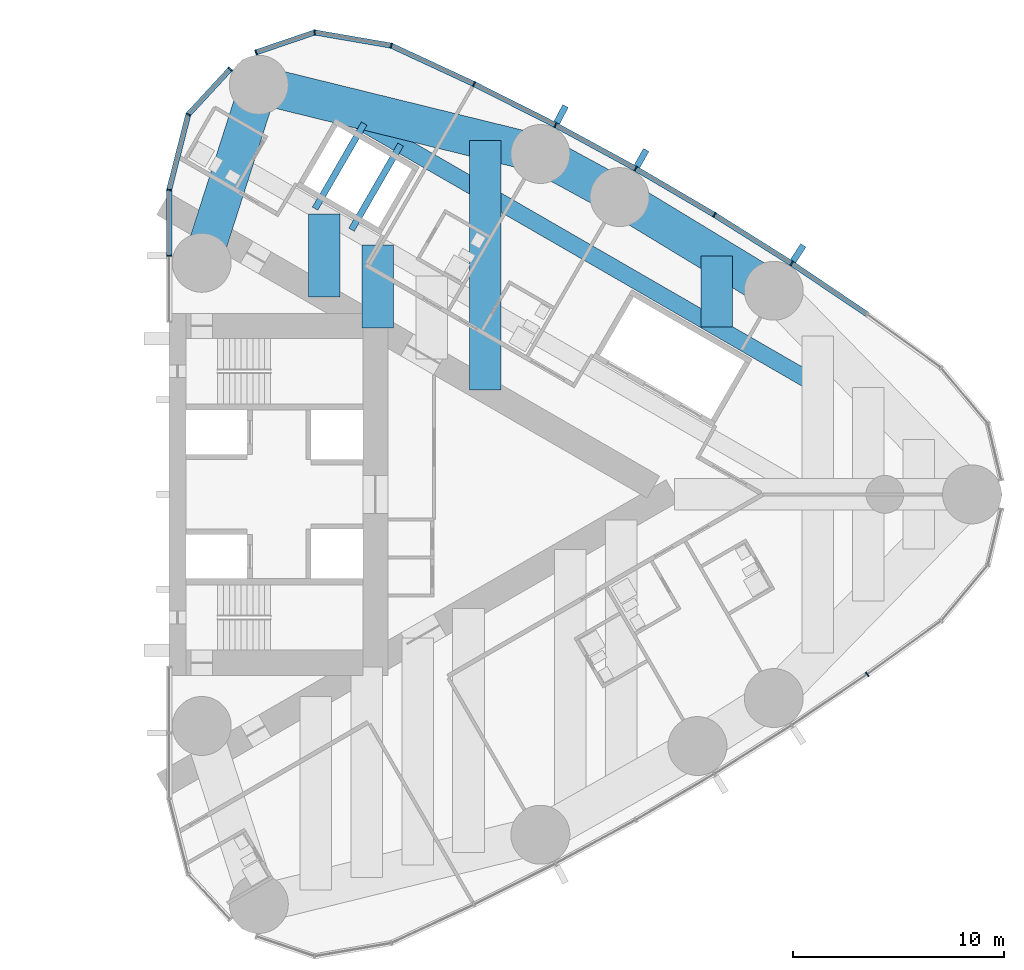
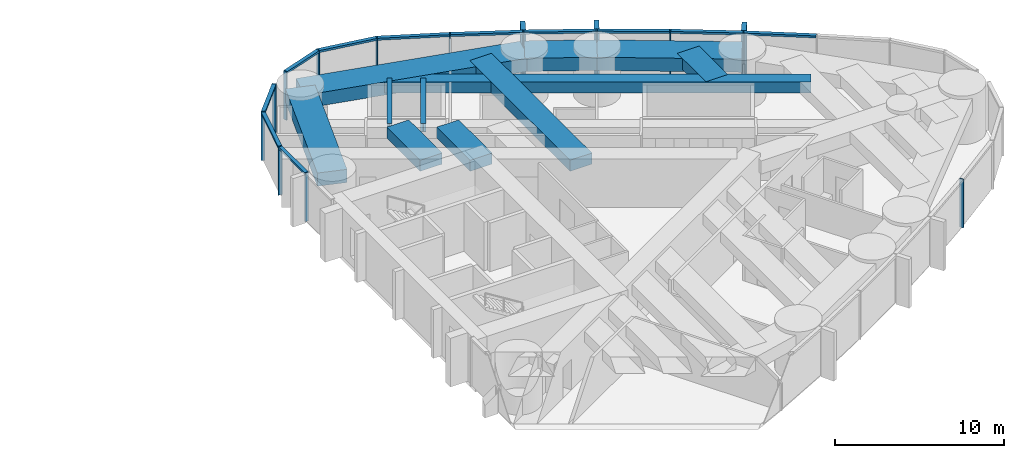
# One storey, part 8 of 19: 27 members, 11 beams, 3 elements without a shape of their own.
"""IFC4 building model written with IfcOpenShell, lengths in metres."""

from ifc_helpers import new_model, si_unit, direction, frame, origin, origin_2d, place, context, subcontext, project, spatial, rectangle, hollow_rectangle, i_section, extrude, material, material_profile, profile_set, type_object, element, aggregate, save


model = new_model("IFC4")

# Units and contexts
model_context = context("Model", 3, precision=1e-05, world=origin(), true_north=direction((0.0, 1.0)))
body_context = subcontext(model_context, "Body", "Model", "MODEL_VIEW")
ifc_project = project(units=[si_unit("LENGTHUNIT", "METRE"), si_unit("AREAUNIT", "SQUARE_METRE"), si_unit("VOLUMEUNIT", "CUBIC_METRE"), si_unit("PLANEANGLEUNIT", "RADIAN"), si_unit("MASSUNIT", "GRAM", prefix="KILO")], contexts=[model_context])

# Site, building, storey
site_placement = place(None, origin())
site = spatial("IfcSite", under=ifc_project, at=site_placement, CompositionType="ELEMENT")
building_placement = place(site_placement, origin())
building = spatial("IfcBuilding", under=site, at=building_placement, Name="Lancet Gate Hotel", CompositionType="ELEMENT")
storey_placement = place(building_placement, frame((0.0, 0.0, 159.800048828125)))
storey = spatial("IfcBuildingStorey", under=building, at=storey_placement, Name="L42", CompositionType="ELEMENT", Elevation=159.800048828125)

# Curtain wall, member
ifc_material_1 = material(Name="Aluminium curtain wall", Category="aluminium")
curtain_wall_type = type_object("IfcCurtainWallType", Name="Tower unitised curtain wall", PredefinedType="USERDEFINED", material=ifc_material_1)
curtain_wall_1_placement = place(storey_placement, origin())
curtain_wall_1 = element("IfcCurtainWall", 1, at=curtain_wall_1_placement, inside=storey, type_object=curtain_wall_type, Name="T2 L42 curtain wall 2", ObjectType="UNITISED CURTAIN WALL", PredefinedType="USERDEFINED")
ifc_material_2 = material(Name="Aluminium mullion", Category="aluminium")
ifc_material_profile_1 = material_profile(ifc_material_2, rectangle(XDim=0.06494140625, YDim=0.25, at=origin_2d()), Name="MULLION 65x250")
ifc_profile_set_1 = profile_set([ifc_material_profile_1], Name="Aluminium mullion")
member_type_1 = type_object("IfcMemberType", Name="Aluminium mullion 65x250", PredefinedType="MULLION", material=ifc_profile_set_1)
member_1_placement = place(storey_placement, frame((60.66015625, -8.547607421875, 0.0), z_axis=(0.0, 0.0, 1.0), x_axis=(0.820068208435, 0.572265789222, 0.0)))
member_1 = element("IfcMember", 2, at=member_1_placement, type_object=member_type_1, Name="T2 L42 curtain wall 2 mullion 9", PredefinedType="MULLION", context=body_context, shape_type="SweptSolid", body=[
    extrude(rectangle(XDim=0.06494140625, YDim=0.25, at=origin_2d()), origin(), (0.0, 0.0, 1.0), 3.5),
])
aggregate(curtain_wall_1, [member_1])

# Curtain wall, members
curtain_wall_2_placement = place(storey_placement, origin())
curtain_wall_2 = element("IfcCurtainWall", 3, at=curtain_wall_2_placement, inside=storey, type_object=curtain_wall_type, Name="T2 L42 curtain wall 3", ObjectType="UNITISED CURTAIN WALL", PredefinedType="USERDEFINED")
member_2_placement = place(storey_placement, frame((57.067138671875, 10.970947265625, 0.0), z_axis=(0.0, 0.0, 1.0), x_axis=(-0.837800943278, 0.545975804815, 0.0)))
member_2 = element("IfcMember", 4, at=member_2_placement, type_object=member_type_1, Name="T2 L42 curtain wall 3 mullion 5", PredefinedType="MULLION", context=body_context, shape_type="SweptSolid", body=[
    extrude(rectangle(XDim=0.06494140625, YDim=0.25, at=origin_2d()), origin(), (0.0, 0.0, 1.0), 3.5),
])
member_3_placement = place(storey_placement, frame((53.39892578125, 13.279541015625, 0.0), z_axis=(0.0, 0.0, 1.0), x_axis=(-0.854691174453, 0.519136779965, 0.0)))
member_3 = element("IfcMember", 5, at=member_3_placement, type_object=member_type_1, Name="T2 L42 curtain wall 3 mullion 6", PredefinedType="MULLION", context=body_context, shape_type="SweptSolid", body=[
    extrude(rectangle(XDim=0.06494140625, YDim=0.25, at=origin_2d()), origin(), (0.0, 0.0, 1.0), 3.5),
])
member_4_placement = place(storey_placement, frame((49.65966796875, 15.47021484375, 0.0), z_axis=(0.0, 0.0, 1.0), x_axis=(-0.870721916932, 0.491775704336, 0.0)))
member_4 = element("IfcMember", 6, at=member_4_placement, type_object=member_type_1, Name="T2 L42 curtain wall 3 mullion 7", PredefinedType="MULLION", context=body_context, shape_type="SweptSolid", body=[
    extrude(rectangle(XDim=0.06494140625, YDim=0.25, at=origin_2d()), origin(), (0.0, 0.0, 1.0), 3.5),
])
member_5_placement = place(storey_placement, frame((45.8525390625, 17.54150390625, 0.0), z_axis=(0.0, 0.0, 1.0), x_axis=(-0.885877049989, 0.463920092584, 0.0)))
member_5 = element("IfcMember", 7, at=member_5_placement, type_object=member_type_1, Name="T2 L42 curtain wall 3 mullion 8", PredefinedType="MULLION", context=body_context, shape_type="SweptSolid", body=[
    extrude(rectangle(XDim=0.06494140625, YDim=0.25, at=origin_2d()), origin(), (0.0, 0.0, 1.0), 3.5),
])
member_6_placement = place(storey_placement, frame((41.98193359375, 19.490966796875, 0.0), z_axis=(0.0, 0.0, 1.0), x_axis=(-0.900141333422, 0.435597956681, 0.0)))
member_6 = element("IfcMember", 8, at=member_6_placement, type_object=member_type_1, Name="T2 L42 curtain wall 3 mullion 9", PredefinedType="MULLION", context=body_context, shape_type="SweptSolid", body=[
    extrude(rectangle(XDim=0.06494140625, YDim=0.25, at=origin_2d()), origin(), (0.0, 0.0, 1.0), 3.5),
])
member_7_placement = place(storey_placement, frame((38.05126953125, 21.31689453125, 0.0), z_axis=(0.0, 0.0, 1.0), x_axis=(-0.951355493327, 0.308095318555, 0.0)))
member_7 = element("IfcMember", 9, at=member_7_placement, type_object=member_type_1, Name="T2 L42 curtain wall 3 mullion 10", PredefinedType="MULLION", context=body_context, shape_type="SweptSolid", body=[
    extrude(rectangle(XDim=0.06494140625, YDim=0.25, at=origin_2d()), origin(), (0.0, 0.0, 1.0), 3.5),
])
member_8_placement = place(storey_placement, frame((34.412109375, 21.9423828125, 0.0), z_axis=(0.0, 0.0, 1.0), x_axis=(-0.99877556888, -0.049470829879, 0.0)))
member_8 = element("IfcMember", 10, at=member_8_placement, type_object=member_type_1, Name="T2 L42 curtain wall 3 mullion 11", PredefinedType="MULLION", context=body_context, shape_type="SweptSolid", body=[
    extrude(rectangle(XDim=0.06494140625, YDim=0.25, at=origin_2d()), origin(), (0.0, 0.0, 1.0), 3.5),
])
member_9_placement = place(storey_placement, frame((31.631591796875, 20.998779296875, 0.0), z_axis=(0.0, 0.0, 1.0), x_axis=(-0.946952368511, -0.321373943827, 0.0)))
member_9 = element("IfcMember", 11, at=member_9_placement, type_object=member_type_1, Name="T2 L42 curtain wall 3 mullion 12", PredefinedType="MULLION", context=body_context, shape_type="SweptSolid", body=[
    extrude(rectangle(XDim=0.06494140625, YDim=0.25, at=origin_2d()), origin(), (0.0, 0.0, 1.0), 3.5),
])

curtain_wall_3_placement = place(storey_placement, origin())
curtain_wall_3 = element("IfcCurtainWall", 12, at=curtain_wall_3_placement, inside=storey, type_object=curtain_wall_type, Name="T2 L42 curtain wall 4", ObjectType="UNITISED CURTAIN WALL", PredefinedType="USERDEFINED")
member_10_placement = place(storey_placement, frame((30.40185546875, 20.199951171875, 0.0), z_axis=(0.0, 0.0, 1.0), x_axis=(-0.67883123083, -0.734294327943, 0.0)))
member_10 = element("IfcMember", 13, at=member_10_placement, type_object=member_type_1, Name="T2 L42 curtain wall 4 mullion 1", PredefinedType="MULLION", context=body_context, shape_type="SweptSolid", body=[
    extrude(rectangle(XDim=0.06494140625, YDim=0.25, at=origin_2d()), origin(), (0.0, 0.0, 1.0), 3.5),
])
member_11_placement = place(storey_placement, frame((28.408935546875, 18.04443359375, 0.0), z_axis=(0.0, 0.0, 1.0), x_axis=(-0.451505925065, -0.892268120932, 0.0)))
member_11 = element("IfcMember", 14, at=member_11_placement, type_object=member_type_1, Name="T2 L42 curtain wall 4 mullion 2", PredefinedType="MULLION", context=body_context, shape_type="SweptSolid", body=[
    extrude(rectangle(XDim=0.06494140625, YDim=0.25, at=origin_2d()), origin(), (0.0, 0.0, 1.0), 3.5),
])
member_12_placement = place(storey_placement, frame((27.5, 14.465576171875, 0.0), z_axis=(0.0, 0.0, 1.0), x_axis=(-0.134206524909, -0.990953383703, 0.0)))
member_12 = element("IfcMember", 15, at=member_12_placement, type_object=member_type_1, Name="T2 L42 curtain wall 4 mullion 3", PredefinedType="MULLION", context=body_context, shape_type="SweptSolid", body=[
    extrude(rectangle(XDim=0.06494140625, YDim=0.25, at=origin_2d()), origin(), (0.0, 0.0, 1.0), 3.5),
])
member_13_placement = place(storey_placement, frame((27.5, 11.332763671875, 0.0), z_axis=(0.0, 0.0, 1.0), x_axis=(0.0, -1.0, 0.0)))
member_13 = element("IfcMember", 16, at=member_13_placement, type_object=member_type_1, Name="T2 L42 curtain wall 4 mullion 4", PredefinedType="MULLION", context=body_context, shape_type="SweptSolid", body=[
    extrude(rectangle(XDim=0.06494140625, YDim=0.25, at=origin_2d()), origin(), (0.0, 0.0, 1.0), 3.5),
])

# Member
ifc_material_3 = material(Name="Aluminium transom", Category="aluminium")
ifc_material_profile_2 = material_profile(ifc_material_3, rectangle(XDim=0.25, YDim=0.14990234375, at=origin_2d()), Name="TRANSOM 250x150")
ifc_profile_set_2 = profile_set([ifc_material_profile_2], Name="Aluminium transom")
member_type_2 = type_object("IfcMemberType", Name="Aluminium transom 250x150", PredefinedType="USERDEFINED", material=ifc_profile_set_2)
member_14_placement = place(storey_placement, frame((60.63330078125, 8.565673828125, 3.425048828125), z_axis=(-0.829046850689, 0.559179147826, 0.0), x_axis=(-0.559179147826, -0.829046850689, 0.0)))
member_14 = element("IfcMember", 17, at=member_14_placement, type_object=member_type_2, Name="T2 L42 curtain wall 3 transom 4", ObjectType="TRANSOM", PredefinedType="USERDEFINED", context=body_context, shape_type="SweptSolid", body=[
    extrude(rectangle(XDim=0.25, YDim=0.14990234375, at=origin_2d()), origin(), (0.0, 0.0, 1.0), 4.26904296875),
])

member_15_placement = place(storey_placement, frame((57.03955078125, 10.98828125, 3.425048828125), z_axis=(-0.846333101657, 0.532653997488, 0.0), x_axis=(-0.532653997488, -0.846333101657, 0.0)))
member_15 = element("IfcMember", 18, at=member_15_placement, type_object=member_type_2, Name="T2 L42 curtain wall 3 transom 5", ObjectType="TRANSOM", PredefinedType="USERDEFINED", context=body_context, shape_type="SweptSolid", body=[
    extrude(rectangle(XDim=0.25, YDim=0.14990234375, at=origin_2d()), origin(), (0.0, 0.0, 1.0), 4.26904296875),
])

member_16_placement = place(storey_placement, frame((53.37109375, 13.2958984375, 3.425048828125), z_axis=(-0.862825279032, 0.505502262966, 0.0), x_axis=(-0.505502262966, -0.862825279032, 0.0)))
member_16 = element("IfcMember", 19, at=member_16_placement, type_object=member_type_2, Name="T2 L42 curtain wall 3 transom 6", ObjectType="TRANSOM", PredefinedType="USERDEFINED", context=body_context, shape_type="SweptSolid", body=[
    extrude(rectangle(XDim=0.25, YDim=0.14990234375, at=origin_2d()), origin(), (0.0, 0.0, 1.0), 4.26904296875),
])

member_17_placement = place(storey_placement, frame((49.631103515625, 15.48583984375, 3.425048828125), z_axis=(-0.878404302735, 0.477918278513, 0.0), x_axis=(-0.477918278513, -0.878404302735, 0.0)))
member_17 = element("IfcMember", 20, at=member_17_placement, type_object=member_type_2, Name="T2 L42 curtain wall 3 transom 7", ObjectType="TRANSOM", PredefinedType="USERDEFINED", context=body_context, shape_type="SweptSolid", body=[
    extrude(rectangle(XDim=0.25, YDim=0.14990234375, at=origin_2d()), origin(), (0.0, 0.0, 1.0), 4.26904296875),
])

member_18_placement = place(storey_placement, frame((45.82373046875, 17.55615234375, 3.425048828125), z_axis=(-0.893130969207, 0.449796700571, 0.0), x_axis=(-0.449796700571, -0.893130969207, 0.0)))
member_18 = element("IfcMember", 21, at=member_18_placement, type_object=member_type_2, Name="T2 L42 curtain wall 3 transom 8", ObjectType="TRANSOM", PredefinedType="USERDEFINED", context=body_context, shape_type="SweptSolid", body=[
    extrude(rectangle(XDim=0.25, YDim=0.14990234375, at=origin_2d()), origin(), (0.0, 0.0, 1.0), 4.26904296875),
])

member_19_placement = place(storey_placement, frame((41.952392578125, 19.504638671875, 3.425048828125), z_axis=(-0.906913768492, 0.421316290357, 0.0), x_axis=(-0.421316290357, -0.906913768492, 0.0)))
member_19 = element("IfcMember", 22, at=member_19_placement, type_object=member_type_2, Name="T2 L42 curtain wall 3 transom 9", ObjectType="TRANSOM", PredefinedType="USERDEFINED", context=body_context, shape_type="SweptSolid", body=[
    extrude(rectangle(XDim=0.25, YDim=0.14990234375, at=origin_2d()), origin(), (0.0, 0.0, 1.0), 4.26904296875),
])

member_20_placement = place(storey_placement, frame((38.019287109375, 21.322265625, 3.425048828125), z_axis=(-0.985536950873, 0.169460669373, 0.0), x_axis=(-0.169460669373, -0.985536950873, 0.0)))
member_20 = element("IfcMember", 23, at=member_20_placement, type_object=member_type_2, Name="T2 L42 curtain wall 3 transom 10", ObjectType="TRANSOM", PredefinedType="USERDEFINED", context=body_context, shape_type="SweptSolid", body=[
    extrude(rectangle(XDim=0.25, YDim=0.14990234375, at=origin_2d()), origin(), (0.0, 0.0, 1.0), 3.627685546875),
])

member_21_placement = place(storey_placement, frame((34.38134765625, 21.93212890625, 3.425048828125), z_axis=(-0.946943122832, -0.321401185625, 0.0), x_axis=(0.321401185625, -0.946943122832, 0.0)))
member_21 = element("IfcMember", 24, at=member_21_placement, type_object=member_type_2, Name="T2 L42 curtain wall 3 transom 11", ObjectType="TRANSOM", PredefinedType="USERDEFINED", context=body_context, shape_type="SweptSolid", body=[
    extrude(rectangle(XDim=0.25, YDim=0.14990234375, at=origin_2d()), origin(), (0.0, 0.0, 1.0), 2.871337890625),
])

member_22_placement = place(storey_placement, frame((30.379638671875, 20.17626953125, 3.425048828125), z_axis=(-0.678792146129, -0.734330458549, 0.0), x_axis=(0.734330458549, -0.678792146129, 0.0)))
member_22 = element("IfcMember", 25, at=member_22_placement, type_object=member_type_2, Name="T2 L42 curtain wall 4 transom 1", ObjectType="TRANSOM", PredefinedType="USERDEFINED", context=body_context, shape_type="SweptSolid", body=[
    extrude(rectangle(XDim=0.25, YDim=0.14990234375, at=origin_2d()), origin(), (0.0, 0.0, 1.0), 2.87060546875),
])

member_23_placement = place(storey_placement, frame((28.40087890625, 18.012939453125, 3.425048828125), z_axis=(-0.246128756616, -0.969237140831, 0.0), x_axis=(0.969237140831, -0.246128756616, 0.0)))
member_23 = element("IfcMember", 26, at=member_23_placement, type_object=member_type_2, Name="T2 L42 curtain wall 4 transom 2", ObjectType="TRANSOM", PredefinedType="USERDEFINED", context=body_context, shape_type="SweptSolid", body=[
    extrude(rectangle(XDim=0.25, YDim=0.14990234375, at=origin_2d()), origin(), (0.0, 0.0, 1.0), 3.62744140625),
])

member_24_placement = place(storey_placement, frame((27.5, 14.43310546875, 3.425048828125), z_axis=(0.0, -1.0, 0.0), x_axis=(1.0, 0.0, 0.0)))
member_24 = element("IfcMember", 27, at=member_24_placement, type_object=member_type_2, Name="T2 L42 curtain wall 4 transom 3", ObjectType="TRANSOM", PredefinedType="USERDEFINED", context=body_context, shape_type="SweptSolid", body=[
    extrude(rectangle(XDim=0.25, YDim=0.14990234375, at=origin_2d()), origin(), (0.0, 0.0, 1.0), 3.06787109375),
])

aggregate(curtain_wall_3, [member_10, member_11, member_12, member_13, member_22, member_23, member_24])

# Beams
ifc_material_4 = material(Name="Concrete C50/60", Category="concrete")
ifc_material_profile_3 = material_profile(ifc_material_4, rectangle(XDim=1.800048828125, YDim=0.949951171875, at=origin_2d()), Name="RC 1800x950")
ifc_profile_set_3 = profile_set([ifc_material_profile_3], Name="Concrete C50/60")
beam_type_1 = type_object("IfcBeamType", Name="Edge beam RC 1800x950", PredefinedType="SPANDREL", material=ifc_profile_set_3)
beam_1_placement = place(storey_placement, frame((56.220947265625, 9.67236328125, 2.77490234375), z_axis=(-0.854692251129, 0.519135007353, 0.0), x_axis=(-0.519135007353, -0.854692251129, 0.0)))
element("IfcBeam", 28, at=beam_1_placement, inside=storey, type_object=beam_type_1, Name="T2 edge beam EB1 L42", PredefinedType="SPANDREL", context=body_context, shape_type="SweptSolid", body=[
    extrude(rectangle(XDim=1.800048828125, YDim=0.949951171875, at=origin_2d()), origin(), (0.0, 0.0, 1.0), 8.568603515625),
])
beam_2_placement = place(storey_placement, frame((48.8974609375, 14.12060546875, 2.77490234375), z_axis=(-0.878404597051, 0.477917737566, 0.0), x_axis=(-0.477917737566, -0.878404597051, 0.0)))
element("IfcBeam", 29, at=beam_2_placement, inside=storey, type_object=beam_type_1, Name="T2 edge beam EB1 L42", PredefinedType="SPANDREL", context=body_context, shape_type="SweptSolid", body=[
    extrude(rectangle(XDim=1.800048828125, YDim=0.949951171875, at=origin_2d()), origin(), (0.0, 0.0, 1.0), 4.284912109375),
])
beam_3_placement = place(storey_placement, frame((45.133544921875, 16.16845703125, 2.77490234375), z_axis=(-0.971093253227, 0.238700426344, 0.0), x_axis=(-0.238700426344, -0.971093253227, 0.0)))
element("IfcBeam", 30, at=beam_3_placement, inside=storey, type_object=beam_type_1, Name="T2 edge beam EB1 L42", PredefinedType="SPANDREL", context=body_context, shape_type="SweptSolid", body=[
    extrude(rectangle(XDim=1.800048828125, YDim=0.949951171875, at=origin_2d()), origin(), (0.0, 0.0, 1.0), 13.77197265625),
])
beam_4_placement = place(storey_placement, frame((29.050048828125, 11.0, 2.77490234375), z_axis=(0.305169772986, 0.952297962644, 0.0), x_axis=(-0.952297962644, 0.305169772986, 0.0)))
element("IfcBeam", 31, at=beam_4_placement, inside=storey, type_object=beam_type_1, Name="T2 edge beam EB1 L42", PredefinedType="SPANDREL", context=body_context, shape_type="SweptSolid", body=[
    extrude(rectangle(XDim=1.800048828125, YDim=0.949951171875, at=origin_2d()), origin(), (0.0, 0.0, 1.0), 8.87939453125),
])

# Member
ifc_material_5 = material(Name="Precast concrete C50/60", Category="concrete")
ifc_material_profile_4 = material_profile(ifc_material_5, rectangle(XDim=0.300048828125, YDim=0.89990234375, at=origin_2d()), Name="FIN 300x900")
ifc_profile_set_4 = profile_set([ifc_material_profile_4], Name="Precast concrete C50/60")
member_type_3 = type_object("IfcMemberType", Name="Exposed concrete fin 300x900", PredefinedType="USERDEFINED", material=ifc_profile_set_4)
member_25_placement = place(storey_placement, frame((57.381103515625, 11.452880859375, 0.0), z_axis=(0.0, 0.0, 1.0), x_axis=(-0.837800943278, 0.545975804815, 0.0)))
member_25 = element("IfcMember", 32, at=member_25_placement, type_object=member_type_3, Name="T2 L42 curtain wall 3 fin 5", ObjectType="FIN", PredefinedType="USERDEFINED", context=body_context, shape_type="SweptSolid", body=[
    extrude(rectangle(XDim=0.300048828125, YDim=0.89990234375, at=origin_2d()), origin(), (0.0, 0.0, 1.0), 3.5),
])

member_26_placement = place(storey_placement, frame((49.9423828125, 15.970947265625, 0.0), z_axis=(0.0, 0.0, 1.0), x_axis=(-0.870721916932, 0.491775704336, 0.0)))
member_26 = element("IfcMember", 33, at=member_26_placement, type_object=member_type_3, Name="T2 L42 curtain wall 3 fin 7", ObjectType="FIN", PredefinedType="USERDEFINED", context=body_context, shape_type="SweptSolid", body=[
    extrude(rectangle(XDim=0.300048828125, YDim=0.89990234375, at=origin_2d()), origin(), (0.0, 0.0, 1.0), 3.5),
])

member_27_placement = place(storey_placement, frame((46.119384765625, 18.051025390625, 0.0), z_axis=(0.0, 0.0, 1.0), x_axis=(-0.885877049989, 0.463920092584, 0.0)))
member_27 = element("IfcMember", 34, at=member_27_placement, type_object=member_type_3, Name="T2 L42 curtain wall 3 fin 8", ObjectType="FIN", PredefinedType="USERDEFINED", context=body_context, shape_type="SweptSolid", body=[
    extrude(rectangle(XDim=0.300048828125, YDim=0.89990234375, at=origin_2d()), origin(), (0.0, 0.0, 1.0), 3.5),
])

aggregate(curtain_wall_2, [member_2, member_25, member_3, member_4, member_26, member_5, member_27, member_6, member_7, member_8, member_9, member_14, member_15, member_16, member_17, member_18, member_19, member_20, member_21])

# Beams
ifc_material_6 = material(Name="Concrete C50/60", Category="concrete")
ifc_material_profile_5 = material_profile(ifc_material_6, rectangle(XDim=1.5, YDim=0.800048828125, at=origin_2d()), Name="RC 1500x800")
ifc_profile_set_5 = profile_set([ifc_material_profile_5], Name="Concrete C50/60")
beam_type_2 = type_object("IfcBeamType", Name="Floor beam RC 1500x800", PredefinedType="BEAM", material=ifc_profile_set_5)
beam_5_placement = place(storey_placement, frame((42.51904296875, 4.95556640625, 2.849853515625), z_axis=(0.0, 1.0, 0.0), x_axis=(-1.0, 0.0, 0.0)))
element("IfcBeam", 35, at=beam_5_placement, inside=storey, type_object=beam_type_2, Name="T2 floor beam F08N L42", PredefinedType="BEAM", context=body_context, shape_type="SweptSolid", body=[
    extrude(rectangle(XDim=1.5, YDim=0.800048828125, at=origin_2d()), origin(), (0.0, 0.0, 1.0), 11.85546875),
])
beam_6_placement = place(storey_placement, frame((34.859619140625, 9.377685546875, 2.849853515625), z_axis=(0.0, 1.0, 0.0), x_axis=(-1.0, 0.0, 0.0)))
element("IfcBeam", 36, at=beam_6_placement, inside=storey, type_object=beam_type_2, Name="T2 floor beam F02NA L42", PredefinedType="BEAM", context=body_context, shape_type="SweptSolid", body=[
    extrude(rectangle(XDim=1.5, YDim=0.800048828125, at=origin_2d()), origin(), (0.0, 0.0, 1.0), 3.94580078125),
])
beam_7_placement = place(storey_placement, frame((37.412841796875, 7.903564453125, 2.849853515625), z_axis=(0.0, 1.0, 0.0), x_axis=(-1.0, 0.0, 0.0)))
element("IfcBeam", 37, at=beam_7_placement, inside=storey, type_object=beam_type_2, Name="T2 floor beam F04NA L42", PredefinedType="BEAM", context=body_context, shape_type="SweptSolid", body=[
    extrude(rectangle(XDim=1.5, YDim=0.800048828125, at=origin_2d()), origin(), (0.0, 0.0, 1.0), 3.945556640625),
])
beam_8_placement = place(storey_placement, frame((53.502197265625, 7.94775390625, 2.849853515625), z_axis=(0.0, 1.0, 0.0), x_axis=(-1.0, 0.0, 0.0)))
element("IfcBeam", 38, at=beam_8_placement, inside=storey, type_object=beam_type_2, Name="T2 floor beam F11NB L42", PredefinedType="BEAM", context=body_context, shape_type="SweptSolid", body=[
    extrude(rectangle(XDim=1.5, YDim=0.800048828125, at=origin_2d()), origin(), (0.0, 0.0, 1.0), 3.3759765625),
])
ifc_material_7 = material(Name="Steel S355", Category="steel")
ifc_material_profile_6 = material_profile(ifc_material_7, i_section(OverallWidth=0.3046875, OverallDepth=0.6123046875, WebThickness=0.01171875, FlangeThickness=0.019775390625, FilletRadius=0.0166015625, at=origin_2d()), Name="UKB 610x305x149")
ifc_profile_set_6 = profile_set([ifc_material_profile_6], Name="Steel S355")
beam_type_3 = type_object("IfcBeamType", Name="Lift lifting beam UKB 610x305x149", PredefinedType="BEAM", material=ifc_profile_set_6)
for number, where, z_axis, x_axis, name in (
    (39, (34.43115234375, 13.572021484375, 2.94384765625), (0.499921796684, 0.866070549782, 0.0), (-0.866070549782, 0.499921796684, 0.0), "T2 lifting beam EX1"),
    (40, (36.1630859375, 12.572021484375, 2.94384765625), (0.499921796684, 0.866070549782, 0.0), (-0.866070549782, 0.499921796684, 0.0), "T2 lifting beam EX2"),
):
    element("IfcBeam", number, at=place(storey_placement, frame(where, z_axis=z_axis, x_axis=x_axis)), inside=storey, type_object=beam_type_3, Name=name, PredefinedType="BEAM", context=body_context, shape_type="SweptSolid", body=[
        extrude(i_section(OverallWidth=0.3046875, OverallDepth=0.6123046875, WebThickness=0.01171875, FlangeThickness=0.019775390625, FilletRadius=0.0166015625, at=origin_2d()), origin(), (0.0, 0.0, 1.0), 4.664794921875),
    ])
ifc_material_8 = material(Name="Steel S460QL", Category="steel")
ifc_material_profile_7 = material_profile(ifc_material_8, hollow_rectangle(XDim=0.800048828125, YDim=0.800048828125, WallThickness=0.080078125, at=origin_2d()), Name="BOX 800x800x80")
ifc_profile_set_7 = profile_set([ifc_material_profile_7], Name="Steel S460QL")
beam_type_4 = type_object("IfcBeamType", Name="Trimmer beam BOX 800x800x80", PredefinedType="BEAM", material=ifc_profile_set_7)
beam_9_placement = place(storey_placement, frame((34.91259765625, 18.680908203125, 2.849853515625), z_axis=(0.865980252573, -0.500078196039, 0.0), x_axis=(0.500078196039, 0.865980252573, 0.0)))
element("IfcBeam", 41, at=beam_9_placement, inside=storey, type_object=beam_type_4, Name="T2 trimmer beam TR02N L42", PredefinedType="BEAM", context=body_context, shape_type="SweptSolid", body=[
    extrude(hollow_rectangle(XDim=0.800048828125, YDim=0.800048828125, WallThickness=0.080078125, at=origin_2d()), origin(), (0.0, 0.0, 1.0), 27.009521484375),
])

save(model, "model.ifc")
